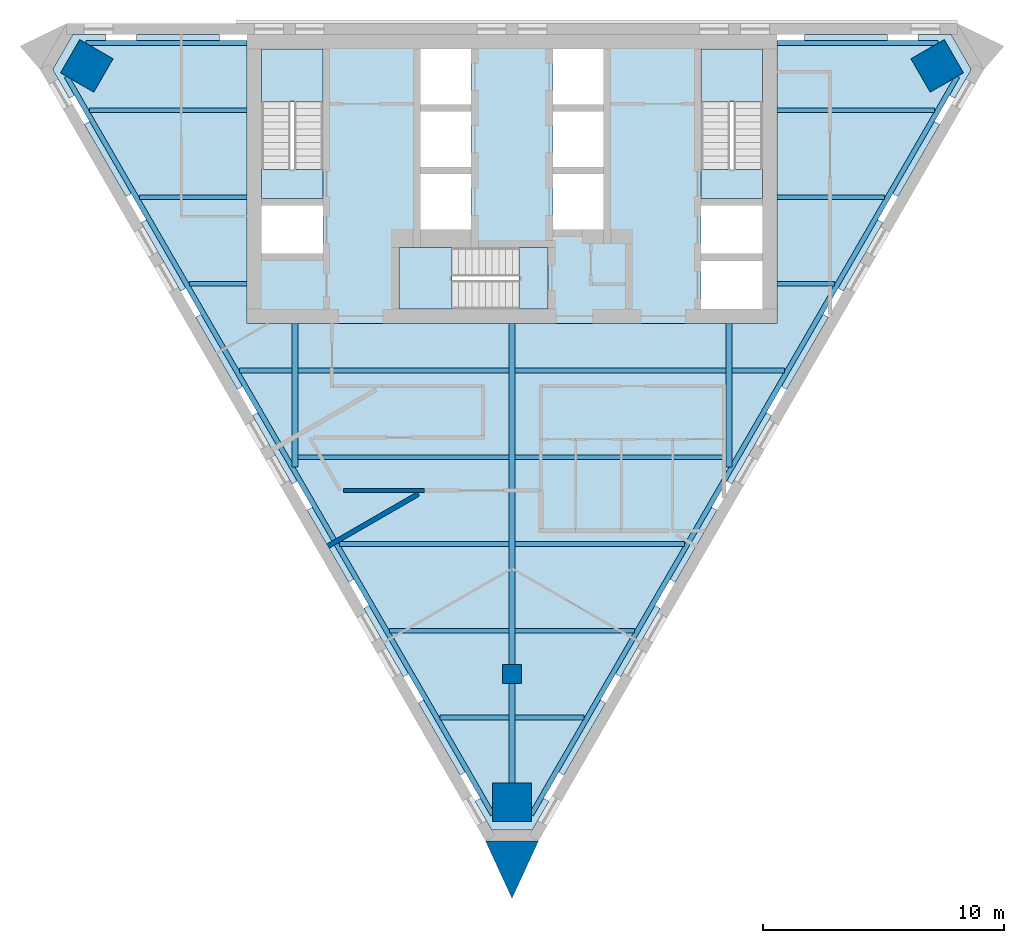
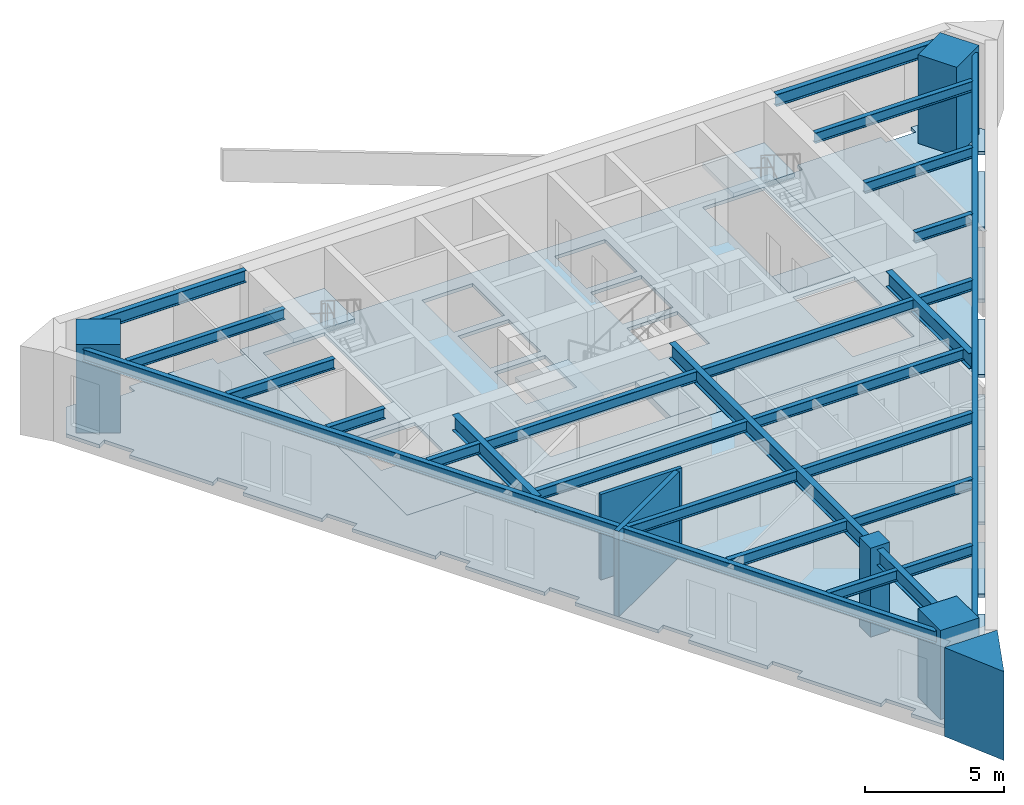
# One storey, part 1 of 6: 26 beams, 8 slabs, 4 columns, 3 walls, 3 elements without a shape of their own.
"""IFC4 building model written with IfcOpenShell, lengths in metres."""

import ifcopenshell
import ifcopenshell.guid

model = None  # the IFC model being written
_history = None  # IfcOwnerHistory: only IFC2X3 demands one
_inside = {}  # id of a spatial element -> (the spatial element, [elements in it])
_under = {}  # id of a project, library or spatial element -> (it, [spatial elements below it])
_declared = {}  # id of a project -> (the project, [libraries it declares])
_typed = {}  # id of a type object -> (the type object, [elements of that type])
_made_of = {}  # id of a material, layer set ... -> (it, [elements and type objects made of it])


def new_model(schema):
    """Start an empty IFC model of exactly this schema.

    Asked for "IFC4X3", IfcOpenShell would pick the latest addendum, in which some entities
    have other attributes; the version numbers below select the first issue.
    IFC2X3 requires an IfcOwnerHistory on every rooted entity: one is made here for all.
    """
    global model, _history
    if schema == "IFC4X3":
        model = ifcopenshell.file(schema_version=(4, 3, 0, 0))
    else:
        model = ifcopenshell.file(schema=schema)
    _inside.clear()
    _under.clear()
    _declared.clear()
    _typed.clear()
    _made_of.clear()
    _history = None
    if model.schema == "IFC2X3":
        org = make("IfcOrganization", Name="unknown")
        user = make(
            "IfcPersonAndOrganization",
            ThePerson=make("IfcPerson", FamilyName="unknown"),
            TheOrganization=org,
        )
        app = make(
            "IfcApplication",
            ApplicationDeveloper=org,
            Version="unknown",
            ApplicationFullName="unknown",
            ApplicationIdentifier="unknown",
        )
        _history = make(
            "IfcOwnerHistory",
            OwningUser=user,
            OwningApplication=app,
            ChangeAction="ADDED",
            CreationDate=0,
        )
    return model


def make(cls, **values):
    """One entity of the class cls with the attributes given. An attribute that is None is left unset."""
    return model.create_entity(
        cls, **{name: value for name, value in values.items() if value is not None}
    )


def rooted(cls, **values):
    """An entity with a GlobalId (a new one), such as an element, a storey or a relation."""
    return make(cls, GlobalId=ifcopenshell.guid.new(), OwnerHistory=_history, **values)


def si_unit(unit_type, name, prefix=None):
    """IfcSIUnit, for example si_unit("LENGTHUNIT", "METRE", prefix="MILLI")."""
    return make("IfcSIUnit", UnitType=unit_type, Prefix=prefix, Name=name)


def assignment(units):
    """IfcUnitAssignment: the units of a project."""
    return None if units is None else make("IfcUnitAssignment", Units=units)


def point(xyz):
    """IfcCartesianPoint."""
    return None if xyz is None else make("IfcCartesianPoint", Coordinates=xyz)


def direction(xyz):
    """IfcDirection."""
    return None if xyz is None else make("IfcDirection", DirectionRatios=xyz)


def frame(location, z_axis=None, x_axis=None):
    """IfcAxis2Placement3D, a coordinate frame: its origin and axes. An axis left out is left unset."""
    return make(
        "IfcAxis2Placement3D",
        Location=point(location),
        Axis=direction(z_axis),
        RefDirection=direction(x_axis),
    )


def frame_2d(location, x_axis=None):
    """IfcAxis2Placement2D, a coordinate frame in the plane: its origin and x axis."""
    return make(
        "IfcAxis2Placement2D", Location=point(location), RefDirection=direction(x_axis)
    )


def origin():
    """The frame at (0, 0, 0) with its axes left unset."""
    return frame((0.0, 0.0, 0.0))


def origin_2d():
    """The frame at (0, 0) in the plane with its x axis left unset."""
    return frame_2d((0.0, 0.0))


def place(relative_to, where):
    """IfcLocalPlacement: puts the frame where relative to a parent placement (None: the world)."""
    return make(
        "IfcLocalPlacement", PlacementRelTo=relative_to, RelativePlacement=where
    )


def context(
    kind, dimensions, precision=None, world=None, true_north=None, identifier=None
):
    """IfcGeometricRepresentationContext, for example the 3D "Model" context."""
    return make(
        "IfcGeometricRepresentationContext",
        ContextIdentifier=identifier,
        ContextType=kind,
        CoordinateSpaceDimension=dimensions,
        Precision=precision,
        WorldCoordinateSystem=world,
        TrueNorth=true_north,
    )


def subcontext(parent, identifier, kind, view, scale=None):
    """IfcGeometricRepresentationSubContext, for example "Body" below "Model"."""
    return make(
        "IfcGeometricRepresentationSubContext",
        ContextIdentifier=identifier,
        ContextType=kind,
        ParentContext=parent,
        TargetScale=scale,
        TargetView=view,
    )


def project(units=None, contexts=None):
    """IfcProject with its units and contexts."""
    return rooted(
        "IfcProject",
        Name="project",
        RepresentationContexts=contexts,
        UnitsInContext=assignment(units),
    )


def spatial(cls, under=None, at=None, **own):
    """A site, building, storey or space (cls), placed at a placement, below another one or the project."""
    s = rooted(cls, ObjectPlacement=at, **own)
    if under is not None:
        _under.setdefault(under.id(), (under, []))[1].append(s)
    return s


def polyline(points):
    """IfcPolyline through the points."""
    return make("IfcPolyline", Points=[point(p) for p in points])


def profile(cls, at=None, kind="AREA", **sizes):
    """A parametric profile (cls). Its sizes go by their IFC names, for example OverallWidth=200.0."""
    return make(cls, ProfileType=kind, Position=at, **sizes)


def rectangle(**sizes):
    """IfcRectangleProfileDef."""
    return profile("IfcRectangleProfileDef", **sizes)


def i_section(**sizes):
    """IfcIShapeProfileDef."""
    return profile("IfcIShapeProfileDef", **sizes)


def outline(outer, holes=None, kind="AREA"):
    """IfcArbitraryClosedProfileDef: a profile drawn as a closed curve; with holes, ...WithVoids."""
    if holes is None:
        return make("IfcArbitraryClosedProfileDef", ProfileType=kind, OuterCurve=outer)
    return make(
        "IfcArbitraryProfileDefWithVoids",
        ProfileType=kind,
        OuterCurve=outer,
        InnerCurves=holes,
    )


def extrude(swept, where, along, depth):
    """IfcExtrudedAreaSolid: the profile swept, set in the frame where, extruded along a direction by depth."""
    return make(
        "IfcExtrudedAreaSolid",
        SweptArea=swept,
        Position=where,
        ExtrudedDirection=direction(along),
        Depth=depth,
    )


def shape(context_of_items, identifier, shape_type, items):
    """IfcShapeRepresentation: the items that make up one representation, for example the "Body"."""
    return make(
        "IfcShapeRepresentation",
        ContextOfItems=context_of_items,
        RepresentationIdentifier=identifier,
        RepresentationType=shape_type,
        Items=items,
    )


def material(Name=None, Category=None):
    """IfcMaterial."""
    return make("IfcMaterial", Name=Name, Category=Category)


def layer(
    of_material, thickness, ventilated=None, Name=None, Category=None, Priority=None
):
    """IfcMaterialLayer: one layer of a wall or slab, of a material (None: an air gap)."""
    return make(
        "IfcMaterialLayer",
        Material=of_material,
        LayerThickness=thickness,
        IsVentilated=ventilated,
        Name=Name,
        Category=Category,
        Priority=Priority,
    )


def layer_set(layers, Name=None):
    """IfcMaterialLayerSet."""
    return make("IfcMaterialLayerSet", MaterialLayers=layers, LayerSetName=Name)


def material_profile(
    of_material, cross_section, Name=None, Category=None, Priority=None
):
    """IfcMaterialProfile: a cross section and its material."""
    return make(
        "IfcMaterialProfile",
        Name=Name,
        Material=of_material,
        Profile=cross_section,
        Priority=Priority,
        Category=Category,
    )


def profile_set(profiles, Name=None, composite=None):
    """IfcMaterialProfileSet."""
    return make(
        "IfcMaterialProfileSet",
        Name=Name,
        MaterialProfiles=profiles,
        CompositeProfile=composite,
    )


def made_of(thing, what):
    """Note that an element or type object is made of a material, layer set ...; save() writes the relation."""
    if what is not None:
        _made_of.setdefault(what.id(), (what, []))[1].append(thing)
    return thing


def type_object(cls, material=None, **own):
    """A type object (cls), such as IfcWallType, which elements share."""
    return made_of(rooted(cls, **own), material)


def element(
    cls,
    number,
    at=None,
    inside=None,
    cuts=None,
    type_object=None,
    material=None,
    context=None,
    identifier="Body",
    shape_type=None,
    held_by="IfcProductDefinitionShape",
    body=None,
    shapes=None,
    **own,
):
    """One element of the class cls, such as IfcWall. Its Tag is "e" and its number.

    at: its placement. inside: the storey or other place that contains it. cuts: it is an
    opening in that element (IfcRelVoidsElement). A single representation is given by context,
    identifier, shape_type and body (its items); several are given by shapes. held_by: the class
    of the entity that holds the representations. save() writes the other relations.
    """
    e = rooted(cls, Tag="e%d" % number, ObjectPlacement=at, **own)
    if body is not None:
        shapes = [shape(context, identifier, shape_type, body)]
    if shapes is not None:
        e.Representation = make(held_by, Representations=shapes)
    if inside is not None:
        _inside.setdefault(inside.id(), (inside, []))[1].append(e)
    if cuts is not None:
        rooted(
            "IfcRelVoidsElement", RelatingBuildingElement=cuts, RelatedOpeningElement=e
        )
    if type_object is not None:
        _typed.setdefault(type_object.id(), (type_object, []))[1].append(e)
    return made_of(e, material)


def aggregate(whole, parts):
    """IfcRelAggregates: a whole, such as a stair, and the parts it consists of."""
    return rooted("IfcRelAggregates", RelatingObject=whole, RelatedObjects=parts)


def save(model, path):
    """Write the relations noted so far, then the file.

    IfcRelAggregates (storeys below a building ...), IfcRelContainedInSpatialStructure (elements
    in a storey), IfcRelDefinesByType, IfcRelAssociatesMaterial and IfcRelDeclares: one each for
    every whole, place, type object, material and project.
    """
    for whole, parts in _under.values():
        aggregate(whole, parts)
    for where, things in _inside.values():
        rooted(
            "IfcRelContainedInSpatialStructure",
            RelatedElements=things,
            RelatingStructure=where,
        )
    for kind, things in _typed.values():
        rooted("IfcRelDefinesByType", RelatedObjects=things, RelatingType=kind)
    for what, things in _made_of.values():
        rooted("IfcRelAssociatesMaterial", RelatedObjects=things, RelatingMaterial=what)
    for by, libraries in _declared.values():
        rooted("IfcRelDeclares", RelatingContext=by, RelatedDefinitions=libraries)
    model.write(path)


model = new_model("IFC4")

# Units and contexts
model_context = context("Model", 3, precision=1e-05, world=origin(), true_north=direction((0.0, 1.0)))
body_context = subcontext(model_context, "Body", "Model", "MODEL_VIEW")
ifc_project = project(units=[si_unit("LENGTHUNIT", "METRE"), si_unit("AREAUNIT", "SQUARE_METRE"), si_unit("VOLUMEUNIT", "CUBIC_METRE"), si_unit("PLANEANGLEUNIT", "RADIAN"), si_unit("MASSUNIT", "GRAM", prefix="KILO")], contexts=[model_context])

# Site, building, storey
site_placement = place(None, origin())
site = spatial("IfcSite", under=ifc_project, at=site_placement, CompositionType="ELEMENT")
building_placement = place(site_placement, origin())
building = spatial("IfcBuilding", under=site, at=building_placement, Name="Aloe Facet Convention Tower", CompositionType="ELEMENT")
storey_placement = place(building_placement, frame((0.0, 0.0, 242.60009765625)))
storey = spatial("IfcBuildingStorey", under=building, at=storey_placement, Name="L59", CompositionType="ELEMENT", Elevation=242.60009765625)

# Columns
ifc_material_1 = material(Name="Concrete C70/85", Category="concrete")
ifc_material_profile_1 = material_profile(ifc_material_1, rectangle(XDim=0.800048828125, YDim=0.800048828125, at=origin_2d()), Name="SF-GC-Z5")
ifc_profile_set_1 = profile_set([ifc_material_profile_1], Name="Concrete C70/85")
column_type_1 = type_object("IfcColumnType", Name="SF-GC-Z5", PredefinedType="COLUMN", material=ifc_profile_set_1)
column_placement = place(storey_placement, frame((80.0, 108.0, 0.0), z_axis=(0.0, 0.0, 1.0), x_axis=(1.0, 0.0, 0.0)))
element("IfcColumn", 1, at=column_placement, inside=storey, type_object=column_type_1, Name="Gravity column GC-Z5-9D", PredefinedType="COLUMN", context=body_context, shape_type="SweptSolid", body=[
    extrude(rectangle(XDim=0.800048828125, YDim=0.800048828125, at=origin_2d()), origin(), (0.0, 0.0, 1.0), 3.89990234375),
])
ifc_material_2 = material(Name="Concrete C80/95", Category="concrete")
ifc_material_profile_2 = material_profile(ifc_material_2, rectangle(XDim=1.60009765625, YDim=1.60009765625, at=origin_2d()), Name="STW-MC-Z5")
ifc_profile_set_2 = profile_set([ifc_material_profile_2], Name="Concrete C80/95")
column_type_2 = type_object("IfcColumnType", Name="STW-MC-Z5", PredefinedType="COLUMN", material=ifc_profile_set_2)
for number, where, z_axis, x_axis, name in (
    (2, (97.650634765625, 133.247314453125, 0.0), (0.0, 0.0, 1.0), (-0.5, 0.866025403784, 0.0), "Mega-column MC-NE-L59"),
    (3, (62.349365234375, 133.247314453125, 0.0), (0.0, 0.0, 1.0), (-0.5, -0.866025403784, 0.0), "Mega-column MC-NW-L59"),
    (4, (80.0, 102.67578125, 0.0), (0.0, 0.0, 1.0), (1.0, 0.0, 0.0), "Mega-column MC-S-L59"),
):
    element("IfcColumn", number, at=place(storey_placement, frame(where, z_axis=z_axis, x_axis=x_axis)), inside=storey, type_object=column_type_2, Name=name, PredefinedType="COLUMN", context=body_context, shape_type="SweptSolid", body=[
        extrude(rectangle(XDim=1.60009765625, YDim=1.60009765625, at=origin_2d()), origin(), (0.0, 0.0, 1.0), 3.89990234375),
    ])

# Beams
ifc_material_3 = material(Name="Steel S355", Category="steel")
ifc_material_profile_3 = material_profile(ifc_material_3, i_section(OverallWidth=0.19140625, OverallDepth=0.4599609375, WebThickness=0.010009765625, FlangeThickness=0.01611328125, FilletRadius=0.01025390625, at=origin_2d()), Name="UB 457x191x82")
ifc_profile_set_3 = profile_set([ifc_material_profile_3], Name="Steel S355")
beam_type_1 = type_object("IfcBeamType", Name="SF-B-UB457x191x82", PredefinedType="BEAM", material=ifc_profile_set_3)
beam_1_placement = place(storey_placement, frame((62.452392578125, 131.39990234375, 3.52001953125), z_axis=(1.0, 0.0, 0.0), x_axis=(0.0, 1.0, 0.0)))
element("IfcBeam", 5, at=beam_1_placement, inside=storey, type_object=beam_type_1, Name="Floor beam FB-Z5B-009", PredefinedType="BEAM", context=body_context, shape_type="SweptSolid", body=[
    extrude(i_section(OverallWidth=0.19140625, OverallDepth=0.4599609375, WebThickness=0.010009765625, FlangeThickness=0.01611328125, FilletRadius=0.01025390625, at=origin_2d()), origin(), (0.0, 0.0, 1.0), 6.547607421875),
])
beam_2_placement = place(storey_placement, frame((64.53076171875, 127.800048828125, 3.52001953125), z_axis=(1.0, 0.0, 0.0), x_axis=(0.0, 1.0, 0.0)))
element("IfcBeam", 6, at=beam_2_placement, inside=storey, type_object=beam_type_1, Name="Floor beam FB-Z5B-010", PredefinedType="BEAM", context=body_context, shape_type="SweptSolid", body=[
    extrude(i_section(OverallWidth=0.19140625, OverallDepth=0.4599609375, WebThickness=0.010009765625, FlangeThickness=0.01611328125, FilletRadius=0.01025390625, at=origin_2d()), origin(), (0.0, 0.0, 1.0), 4.46923828125),
])
beam_3_placement = place(storey_placement, frame((66.609130859375, 124.199951171875, 3.52001953125), z_axis=(1.0, 0.0, 0.0), x_axis=(0.0, 1.0, 0.0)))
element("IfcBeam", 7, at=beam_3_placement, inside=storey, type_object=beam_type_1, Name="Floor beam FB-Z5B-011", PredefinedType="BEAM", context=body_context, shape_type="SweptSolid", body=[
    extrude(i_section(OverallWidth=0.19140625, OverallDepth=0.4599609375, WebThickness=0.010009765625, FlangeThickness=0.01611328125, FilletRadius=0.01025390625, at=origin_2d()), origin(), (0.0, 0.0, 1.0), 2.390869140625),
])
beam_4_placement = place(storey_placement, frame((68.687744140625, 120.60009765625, 3.52001953125), z_axis=(1.0, 0.0, 0.0), x_axis=(0.0, 1.0, 0.0)))
element("IfcBeam", 8, at=beam_4_placement, inside=storey, type_object=beam_type_1, Name="Floor beam FB-Z5B-012", PredefinedType="BEAM", context=body_context, shape_type="SweptSolid", body=[
    extrude(i_section(OverallWidth=0.19140625, OverallDepth=0.4599609375, WebThickness=0.010009765625, FlangeThickness=0.01611328125, FilletRadius=0.01025390625, at=origin_2d()), origin(), (0.0, 0.0, 1.0), 2.185791015625),
])
for number, where, z_axis, x_axis, name in (
    (9, (71.12646484375, 117.0, 3.52001953125), (1.0, 0.0, 0.0), (0.0, 1.0, 0.0), "Floor beam FB-Z5B-013"),
    (10, (71.12646484375, 120.60009765625, 3.52001953125), (1.0, 0.0, 0.0), (0.0, 1.0, 0.0), "Floor beam FB-Z5B-014"),
):
    element("IfcBeam", number, at=place(storey_placement, frame(where, z_axis=z_axis, x_axis=x_axis)), inside=storey, type_object=beam_type_1, Name=name, PredefinedType="BEAM", context=body_context, shape_type="SweptSolid", body=[
        extrude(i_section(OverallWidth=0.19140625, OverallDepth=0.4599609375, WebThickness=0.010009765625, FlangeThickness=0.01611328125, FilletRadius=0.01025390625, at=origin_2d()), origin(), (0.0, 0.0, 1.0), 8.7470703125),
    ])
beam_5_placement = place(storey_placement, frame((72.844482421875, 113.39990234375, 3.52001953125), z_axis=(1.0, 0.0, 0.0), x_axis=(0.0, 1.0, 0.0)))
element("IfcBeam", 11, at=beam_5_placement, inside=storey, type_object=beam_type_1, Name="Floor beam FB-Z5B-015", PredefinedType="BEAM", context=body_context, shape_type="SweptSolid", body=[
    extrude(i_section(OverallWidth=0.19140625, OverallDepth=0.4599609375, WebThickness=0.010009765625, FlangeThickness=0.01611328125, FilletRadius=0.01025390625, at=origin_2d()), origin(), (0.0, 0.0, 1.0), 7.029052734375),
])
beam_6_placement = place(storey_placement, frame((74.923095703125, 109.800048828125, 3.52001953125), z_axis=(1.0, 0.0, 0.0), x_axis=(0.0, 1.0, 0.0)))
element("IfcBeam", 12, at=beam_6_placement, inside=storey, type_object=beam_type_1, Name="Floor beam FB-Z5B-016", PredefinedType="BEAM", context=body_context, shape_type="SweptSolid", body=[
    extrude(i_section(OverallWidth=0.19140625, OverallDepth=0.4599609375, WebThickness=0.010009765625, FlangeThickness=0.01611328125, FilletRadius=0.01025390625, at=origin_2d()), origin(), (0.0, 0.0, 1.0), 4.950439453125),
])
for number, where, z_axis, x_axis, name in (
    (13, (77.00146484375, 106.199951171875, 3.52001953125), (1.0, 0.0, 0.0), (0.0, 1.0, 0.0), "Floor beam FB-Z5B-017"),
    (14, (80.12646484375, 106.199951171875, 3.52001953125), (1.0, 0.0, 0.0), (0.0, 1.0, 0.0), "Floor beam FB-Z5B-018"),
):
    element("IfcBeam", number, at=place(storey_placement, frame(where, z_axis=z_axis, x_axis=x_axis)), inside=storey, type_object=beam_type_1, Name=name, PredefinedType="BEAM", context=body_context, shape_type="SweptSolid", body=[
        extrude(i_section(OverallWidth=0.19140625, OverallDepth=0.4599609375, WebThickness=0.010009765625, FlangeThickness=0.01611328125, FilletRadius=0.01025390625, at=origin_2d()), origin(), (0.0, 0.0, 1.0), 2.8720703125),
    ])
beam_7_placement = place(storey_placement, frame((80.12646484375, 109.800048828125, 3.52001953125), z_axis=(1.0, 0.0, 0.0), x_axis=(0.0, 1.0, 0.0)))
element("IfcBeam", 15, at=beam_7_placement, inside=storey, type_object=beam_type_1, Name="Floor beam FB-Z5B-019", PredefinedType="BEAM", context=body_context, shape_type="SweptSolid", body=[
    extrude(i_section(OverallWidth=0.19140625, OverallDepth=0.4599609375, WebThickness=0.010009765625, FlangeThickness=0.01611328125, FilletRadius=0.01025390625, at=origin_2d()), origin(), (0.0, 0.0, 1.0), 4.950439453125),
])
beam_8_placement = place(storey_placement, frame((80.12646484375, 113.39990234375, 3.52001953125), z_axis=(1.0, 0.0, 0.0), x_axis=(0.0, 1.0, 0.0)))
element("IfcBeam", 16, at=beam_8_placement, inside=storey, type_object=beam_type_1, Name="Floor beam FB-Z5B-020", PredefinedType="BEAM", context=body_context, shape_type="SweptSolid", body=[
    extrude(i_section(OverallWidth=0.19140625, OverallDepth=0.4599609375, WebThickness=0.010009765625, FlangeThickness=0.01611328125, FilletRadius=0.01025390625, at=origin_2d()), origin(), (0.0, 0.0, 1.0), 7.029052734375),
])
for number, where, z_axis, x_axis, name in (
    (17, (80.12646484375, 117.0, 3.52001953125), (1.0, 0.0, 0.0), (0.0, 1.0, 0.0), "Floor beam FB-Z5B-021"),
    (18, (80.12646484375, 120.60009765625, 3.52001953125), (1.0, 0.0, 0.0), (0.0, 1.0, 0.0), "Floor beam FB-Z5B-022"),
):
    element("IfcBeam", number, at=place(storey_placement, frame(where, z_axis=z_axis, x_axis=x_axis)), inside=storey, type_object=beam_type_1, Name=name, PredefinedType="BEAM", context=body_context, shape_type="SweptSolid", body=[
        extrude(i_section(OverallWidth=0.19140625, OverallDepth=0.4599609375, WebThickness=0.010009765625, FlangeThickness=0.01611328125, FilletRadius=0.01025390625, at=origin_2d()), origin(), (0.0, 0.0, 1.0), 8.7470703125),
    ])
beam_9_placement = place(storey_placement, frame((89.12646484375, 120.60009765625, 3.52001953125), z_axis=(1.0, 0.0, 0.0), x_axis=(0.0, 1.0, 0.0)))
element("IfcBeam", 19, at=beam_9_placement, inside=storey, type_object=beam_type_1, Name="Floor beam FB-Z5B-023", PredefinedType="BEAM", context=body_context, shape_type="SweptSolid", body=[
    extrude(i_section(OverallWidth=0.19140625, OverallDepth=0.4599609375, WebThickness=0.010009765625, FlangeThickness=0.01611328125, FilletRadius=0.01025390625, at=origin_2d()), origin(), (0.0, 0.0, 1.0), 2.185791015625),
])
beam_10_placement = place(storey_placement, frame((91.0, 124.199951171875, 3.52001953125), z_axis=(1.0, 0.0, 0.0), x_axis=(0.0, 1.0, 0.0)))
element("IfcBeam", 20, at=beam_10_placement, inside=storey, type_object=beam_type_1, Name="Floor beam FB-Z5B-024", PredefinedType="BEAM", context=body_context, shape_type="SweptSolid", body=[
    extrude(i_section(OverallWidth=0.19140625, OverallDepth=0.4599609375, WebThickness=0.010009765625, FlangeThickness=0.01611328125, FilletRadius=0.01025390625, at=origin_2d()), origin(), (0.0, 0.0, 1.0), 2.390869140625),
])
beam_11_placement = place(storey_placement, frame((91.0, 127.800048828125, 3.52001953125), z_axis=(1.0, 0.0, 0.0), x_axis=(0.0, 1.0, 0.0)))
element("IfcBeam", 21, at=beam_11_placement, inside=storey, type_object=beam_type_1, Name="Floor beam FB-Z5B-025", PredefinedType="BEAM", context=body_context, shape_type="SweptSolid", body=[
    extrude(i_section(OverallWidth=0.19140625, OverallDepth=0.4599609375, WebThickness=0.010009765625, FlangeThickness=0.01611328125, FilletRadius=0.01025390625, at=origin_2d()), origin(), (0.0, 0.0, 1.0), 4.46923828125),
])
beam_12_placement = place(storey_placement, frame((91.0, 131.39990234375, 3.52001953125), z_axis=(1.0, 0.0, 0.0), x_axis=(0.0, 1.0, 0.0)))
element("IfcBeam", 22, at=beam_12_placement, inside=storey, type_object=beam_type_1, Name="Floor beam FB-Z5B-026", PredefinedType="BEAM", context=body_context, shape_type="SweptSolid", body=[
    extrude(i_section(OverallWidth=0.19140625, OverallDepth=0.4599609375, WebThickness=0.010009765625, FlangeThickness=0.01611328125, FilletRadius=0.01025390625, at=origin_2d()), origin(), (0.0, 0.0, 1.0), 6.547607421875),
])
ifc_material_4 = material(Name="Steel S355", Category="steel")
ifc_material_profile_4 = material_profile(ifc_material_4, i_section(OverallWidth=0.209228515625, OverallDepth=0.533203125, WebThickness=0.010009765625, FlangeThickness=0.015625, FilletRadius=0.0126953125, at=origin_2d()), Name="UB 533x210x92")
ifc_profile_set_4 = profile_set([ifc_material_profile_4], Name="Steel S355")
beam_type_2 = type_object("IfcBeamType", Name="SF-B-UB533x210x92", PredefinedType="BEAM", material=ifc_profile_set_4)
beam_13_placement = place(storey_placement, frame((62.3076171875, 134.1953125, 3.4833984375), z_axis=(1.0, 0.0, 0.0), x_axis=(0.0, 1.0, 0.0)))
element("IfcBeam", 23, at=beam_13_placement, inside=storey, type_object=beam_type_2, Name="Floor beam FB-Z5B-001", PredefinedType="BEAM", context=body_context, shape_type="SweptSolid", body=[
    extrude(i_section(OverallWidth=0.209228515625, OverallDepth=0.533203125, WebThickness=0.010009765625, FlangeThickness=0.015625, FilletRadius=0.0126953125, at=origin_2d()), origin(), (0.0, 0.0, 1.0), 6.6923828125),
])
beam_14_placement = place(storey_placement, frame((79.199951171875, 102.16552734375, 3.4833984375), z_axis=(-0.499997782969, 0.866026683784, 0.0), x_axis=(-0.866026683784, -0.499997782969, 0.0)))
element("IfcBeam", 24, at=beam_14_placement, inside=storey, type_object=beam_type_2, Name="Floor beam FB-Z5B-002", PredefinedType="BEAM", context=body_context, shape_type="SweptSolid", body=[
    extrude(i_section(OverallWidth=0.209228515625, OverallDepth=0.533203125, WebThickness=0.010009765625, FlangeThickness=0.015625, FilletRadius=0.0126953125, at=origin_2d()), origin(), (0.0, 0.0, 1.0), 35.385009765625),
])
beam_15_placement = place(storey_placement, frame((91.0, 134.1953125, 3.4833984375), z_axis=(1.0, 0.0, 0.0), x_axis=(0.0, 1.0, 0.0)))
element("IfcBeam", 25, at=beam_15_placement, inside=storey, type_object=beam_type_2, Name="Floor beam FB-Z5B-003", PredefinedType="BEAM", context=body_context, shape_type="SweptSolid", body=[
    extrude(i_section(OverallWidth=0.209228515625, OverallDepth=0.533203125, WebThickness=0.010009765625, FlangeThickness=0.015625, FilletRadius=0.0126953125, at=origin_2d()), origin(), (0.0, 0.0, 1.0), 6.6923828125),
])
beam_16_placement = place(storey_placement, frame((98.492431640625, 132.809814453125, 3.4833984375), z_axis=(-0.499997782969, -0.866026683784, 0.0), x_axis=(0.866026683784, -0.499997782969, 0.0)))
element("IfcBeam", 26, at=beam_16_placement, inside=storey, type_object=beam_type_2, Name="Floor beam FB-Z5B-004", PredefinedType="BEAM", context=body_context, shape_type="SweptSolid", body=[
    extrude(i_section(OverallWidth=0.209228515625, OverallDepth=0.533203125, WebThickness=0.010009765625, FlangeThickness=0.015625, FilletRadius=0.0126953125, at=origin_2d()), origin(), (0.0, 0.0, 1.0), 35.385009765625),
])
ifc_material_5 = material(Name="Steel S355", Category="steel")
ifc_material_profile_5 = material_profile(ifc_material_5, i_section(OverallWidth=0.2529296875, OverallDepth=0.677978515625, WebThickness=0.01171875, FlangeThickness=0.01611328125, FilletRadius=0.01513671875, at=origin_2d()), Name="UB 686x254x125")
ifc_profile_set_5 = profile_set([ifc_material_profile_5], Name="Steel S355")
beam_type_3 = type_object("IfcBeamType", Name="SF-B-UB686x254x125", PredefinedType="BEAM", material=ifc_profile_set_5)
beam_17_placement = place(storey_placement, frame((71.0, 122.550048828125, 3.410888671875), z_axis=(0.0, -1.0, 0.0), x_axis=(1.0, 0.0, 0.0)))
element("IfcBeam", 27, at=beam_17_placement, inside=storey, type_object=beam_type_3, Name="Floor beam FB-Z5B-005", PredefinedType="BEAM", context=body_context, shape_type="SweptSolid", body=[
    extrude(i_section(OverallWidth=0.2529296875, OverallDepth=0.677978515625, WebThickness=0.01171875, FlangeThickness=0.01611328125, FilletRadius=0.01513671875, at=origin_2d()), origin(), (0.0, 0.0, 1.0), 5.96240234375),
])
beam_18_placement = place(storey_placement, frame((80.0, 107.60009765625, 3.410888671875), z_axis=(0.0, -1.0, 0.0), x_axis=(1.0, 0.0, 0.0)))
element("IfcBeam", 28, at=beam_18_placement, inside=storey, type_object=beam_type_3, Name="Floor beam FB-Z5B-006", PredefinedType="BEAM", context=body_context, shape_type="SweptSolid", body=[
    extrude(i_section(OverallWidth=0.2529296875, OverallDepth=0.677978515625, WebThickness=0.01171875, FlangeThickness=0.01611328125, FilletRadius=0.01513671875, at=origin_2d()), origin(), (0.0, 0.0, 1.0), 5.60498046875),
])
beam_19_placement = place(storey_placement, frame((80.0, 122.550048828125, 3.410888671875), z_axis=(0.0, -1.0, 0.0), x_axis=(1.0, 0.0, 0.0)))
element("IfcBeam", 29, at=beam_19_placement, inside=storey, type_object=beam_type_3, Name="Floor beam FB-Z5B-007", PredefinedType="BEAM", context=body_context, shape_type="SweptSolid", body=[
    extrude(i_section(OverallWidth=0.2529296875, OverallDepth=0.677978515625, WebThickness=0.01171875, FlangeThickness=0.01611328125, FilletRadius=0.01513671875, at=origin_2d()), origin(), (0.0, 0.0, 1.0), 14.150146484375),
])
beam_20_placement = place(storey_placement, frame((89.0, 122.550048828125, 3.410888671875), z_axis=(0.0, -1.0, 0.0), x_axis=(1.0, 0.0, 0.0)))
element("IfcBeam", 30, at=beam_20_placement, inside=storey, type_object=beam_type_3, Name="Floor beam FB-Z5B-008", PredefinedType="BEAM", context=body_context, shape_type="SweptSolid", body=[
    extrude(i_section(OverallWidth=0.2529296875, OverallDepth=0.677978515625, WebThickness=0.01171875, FlangeThickness=0.01611328125, FilletRadius=0.01513671875, at=origin_2d()), origin(), (0.0, 0.0, 1.0), 5.96240234375),
])

# Slabs
ifc_material_6 = material(Name="Concrete C50/60", Category="concrete")
ifc_layer_1 = layer(ifc_material_6, 0.14990234375)
ifc_layer_set_1 = layer_set([ifc_layer_1], Name="CR-S-FLOOR150-C5060")
slab_type_1 = type_object("IfcSlabType", Name="CR-S-FLOOR150-C5060", PredefinedType="FLOOR", material=ifc_layer_set_1)
slab_1_placement = place(storey_placement, frame((0.0, 0.0, -0.150146484375)))
element("IfcSlab", 31, at=slab_1_placement, inside=storey, type_object=slab_type_1, Name="Core floor L59", PredefinedType="FLOOR", context=body_context, shape_type="SweptSolid", body=[
    extrude(outline(polyline([(71.85009765625, 134.550048828125), (72.75, 134.550048828125), (75.60009765625, 134.550048828125), (76.5, 134.550048828125), (78.0, 134.550048828125), (78.89990234375, 134.550048828125), (81.10009765625, 134.550048828125), (82.0, 134.550048828125), (83.5, 134.550048828125), (84.39990234375, 134.550048828125), (87.25, 134.550048828125), (88.14990234375, 134.550048828125), (91.0, 134.550048828125), (91.0, 128.050048828125), (91.0, 127.14990234375), (91.0, 125.75), (91.0, 124.85009765625), (91.0, 122.550048828125), (88.14990234375, 122.550048828125), (87.25, 122.550048828125), (85.300048828125, 122.550048828125), (84.39990234375, 122.550048828125), (82.10009765625, 122.550048828125), (81.199951171875, 122.550048828125), (75.60009765625, 122.550048828125), (74.699951171875, 122.550048828125), (72.75, 122.550048828125), (71.85009765625, 122.550048828125), (69.0, 122.550048828125), (69.0, 124.85009765625), (69.0, 125.75), (69.0, 127.14990234375), (69.0, 128.050048828125), (69.0, 134.550048828125), (71.85009765625, 134.550048828125)]), holes=[polyline([(80.298828125, 123.14990234375), (81.5, 123.14990234375), (81.5, 125.699951171875), (80.298828125, 125.699951171875), (75.300048828125, 125.699951171875), (75.300048828125, 123.14990234375), (80.298828125, 123.14990234375)]), polyline([(69.60009765625, 125.449951171875), (72.14990234375, 125.449951171875), (72.14990234375, 127.449951171875), (69.60009765625, 127.449951171875), (69.60009765625, 125.449951171875)]), polyline([(76.199951171875, 126.449951171875), (78.300048828125, 126.449951171875), (78.300048828125, 128.75), (76.199951171875, 128.75), (76.199951171875, 126.449951171875)]), polyline([(78.300048828125, 129.050048828125), (78.300048828125, 131.35009765625), (76.199951171875, 131.35009765625), (76.199951171875, 129.050048828125), (78.300048828125, 129.050048828125)]), polyline([(69.60009765625, 133.949951171875), (69.60009765625, 128.951171875), (69.60009765625, 127.75), (72.14990234375, 127.75), (72.14990234375, 128.951171875), (72.14990234375, 133.949951171875), (69.60009765625, 133.949951171875)]), polyline([(76.199951171875, 131.64990234375), (78.300048828125, 131.64990234375), (78.300048828125, 133.949951171875), (76.199951171875, 133.949951171875), (76.199951171875, 131.64990234375)]), polyline([(90.39990234375, 123.14990234375), (90.39990234375, 125.14990234375), (87.85009765625, 125.14990234375), (87.85009765625, 123.14990234375), (90.39990234375, 123.14990234375)]), polyline([(87.85009765625, 125.449951171875), (90.39990234375, 125.449951171875), (90.39990234375, 127.449951171875), (87.85009765625, 127.449951171875), (87.85009765625, 125.449951171875)]), polyline([(81.699951171875, 126.449951171875), (83.800048828125, 126.449951171875), (83.800048828125, 128.75), (81.699951171875, 128.75), (81.699951171875, 126.449951171875)]), polyline([(83.800048828125, 129.050048828125), (83.800048828125, 131.35009765625), (81.699951171875, 131.35009765625), (81.699951171875, 129.050048828125), (83.800048828125, 129.050048828125)]), polyline([(87.85009765625, 133.949951171875), (87.85009765625, 128.951171875), (87.85009765625, 127.75), (90.39990234375, 127.75), (90.39990234375, 128.951171875), (90.39990234375, 133.949951171875), (87.85009765625, 133.949951171875)]), polyline([(81.699951171875, 131.64990234375), (83.800048828125, 131.64990234375), (83.800048828125, 133.949951171875), (81.699951171875, 133.949951171875), (81.699951171875, 131.64990234375)])]), origin(), (0.0, 0.0, 1.0), 0.150146484375),
])
ifc_material_7 = material(Name="Concrete C50/60", Category="concrete")
ifc_layer_2 = layer(ifc_material_7, 0.300048828125)
ifc_layer_set_2 = layer_set([ifc_layer_2], Name="CR-S-FLOOR300-C5060")
slab_type_2 = type_object("IfcSlabType", Name="CR-S-FLOOR300-C5060", PredefinedType="FLOOR", material=ifc_layer_set_2)
slab_2_placement = place(storey_placement, frame((0.0, 0.0, -0.300048828125)))
element("IfcSlab", 32, at=slab_2_placement, inside=storey, type_object=slab_type_2, Name="Stair landing floor L59", PredefinedType="FLOOR", context=body_context, shape_type="SweptSolid", body=[
    extrude(outline(polyline([(72.14990234375, 127.75), (72.14990234375, 128.951171875), (69.60009765625, 128.951171875), (69.60009765625, 127.75), (72.14990234375, 127.75)])), origin(), (0.0, 0.0, 1.0), 0.300048828125),
])
slab_3_placement = place(storey_placement, frame((0.0, 0.0, -0.300048828125)))
element("IfcSlab", 33, at=slab_3_placement, inside=storey, type_object=slab_type_2, Name="Stair landing floor L59", PredefinedType="FLOOR", context=body_context, shape_type="SweptSolid", body=[
    extrude(outline(polyline([(90.39990234375, 127.75), (90.39990234375, 128.951171875), (87.85009765625, 128.951171875), (87.85009765625, 127.75), (90.39990234375, 127.75)])), origin(), (0.0, 0.0, 1.0), 0.300048828125),
])
slab_4_placement = place(storey_placement, frame((0.0, 0.0, -0.300048828125)))
element("IfcSlab", 34, at=slab_4_placement, inside=storey, type_object=slab_type_2, Name="Stair landing floor L59", PredefinedType="FLOOR", context=body_context, shape_type="SweptSolid", body=[
    extrude(outline(polyline([(81.5, 125.699951171875), (80.298828125, 125.699951171875), (80.298828125, 123.14990234375), (81.5, 123.14990234375), (81.5, 125.699951171875)])), origin(), (0.0, 0.0, 1.0), 0.300048828125),
])

# Stair, slab
ifc_material_8 = material(Name="Concrete C50/60", Category="concrete")
stair_type = type_object("IfcStairType", Name="CR-ST-22R", PredefinedType="HALF_TURN_STAIR", material=ifc_material_8)
stair_1_placement = place(storey_placement, origin())
stair_1 = element("IfcStair", 35, at=stair_1_placement, inside=storey, type_object=stair_type, Name="L59 Protected exit stair ST1", PredefinedType="HALF_TURN_STAIR")
ifc_material_9 = material(Name="Concrete C50/60", Category="concrete")
ifc_layer_3 = layer(ifc_material_9, 0.199951171875)
ifc_layer_set_3 = layer_set([ifc_layer_3], Name="CR-SL-LANDING")
slab_type_3 = type_object("IfcSlabType", Name="CR-SL-LANDING", PredefinedType="LANDING", material=ifc_layer_set_3)
slab_5_placement = place(storey_placement, frame((0.0, 0.0, 1.75)))
slab_5 = element("IfcSlab", 36, at=slab_5_placement, type_object=slab_type_3, Name="ST1 landing 1", PredefinedType="LANDING", context=body_context, shape_type="SweptSolid", body=[
    extrude(outline(polyline([(72.14990234375, 131.75), (72.14990234375, 133.949951171875), (69.60009765625, 133.949951171875), (69.60009765625, 131.75), (72.14990234375, 131.75)])), origin(), (0.0, 0.0, 1.0), 0.199951171875),
])
aggregate(stair_1, [slab_5])

stair_2_placement = place(storey_placement, origin())
stair_2 = element("IfcStair", 37, at=stair_2_placement, inside=storey, type_object=stair_type, Name="L59 Protected exit stair ST2", PredefinedType="HALF_TURN_STAIR")
slab_6_placement = place(storey_placement, frame((0.0, 0.0, 1.75)))
slab_6 = element("IfcSlab", 38, at=slab_6_placement, type_object=slab_type_3, Name="ST2 landing 1", PredefinedType="LANDING", context=body_context, shape_type="SweptSolid", body=[
    extrude(outline(polyline([(90.39990234375, 131.75), (90.39990234375, 133.949951171875), (87.85009765625, 133.949951171875), (87.85009765625, 131.75), (90.39990234375, 131.75)])), origin(), (0.0, 0.0, 1.0), 0.199951171875),
])
aggregate(stair_2, [slab_6])

stair_3_placement = place(storey_placement, origin())
stair_3 = element("IfcStair", 39, at=stair_3_placement, inside=storey, type_object=stair_type, Name="L59 Protected exit stair ST3", PredefinedType="HALF_TURN_STAIR")
slab_7_placement = place(storey_placement, frame((0.0, 0.0, 1.75)))
slab_7 = element("IfcSlab", 40, at=slab_7_placement, type_object=slab_type_3, Name="ST3 landing 1", PredefinedType="LANDING", context=body_context, shape_type="SweptSolid", body=[
    extrude(outline(polyline([(77.5, 125.699951171875), (75.300048828125, 125.699951171875), (75.300048828125, 123.14990234375), (77.5, 123.14990234375), (77.5, 125.699951171875)])), origin(), (0.0, 0.0, 1.0), 0.199951171875),
])
aggregate(stair_3, [slab_7])

# Slab
ifc_material_10 = material(Name="Concrete C35/45", Category="concrete")
ifc_layer_4 = layer(ifc_material_10, 0.14990234375)
ifc_layer_set_4 = layer_set([ifc_layer_4], Name="SF-FS-150")
slab_type_4 = type_object("IfcSlabType", Name="SF-FS-150", PredefinedType="FLOOR", material=ifc_layer_set_4)
slab_8_placement = place(storey_placement, frame((0.0, 0.0, -0.150146484375)))
element("IfcSlab", 41, at=slab_8_placement, inside=storey, type_object=slab_type_4, Name="Floor slab L59-1", PredefinedType="FLOOR", context=body_context, shape_type="SweptSolid", body=[
    extrude(outline(polyline([(99.06640625, 133.0947265625), (98.376220703125, 131.898681640625), (98.072998046875, 132.07373046875), (97.447509765625, 130.990234375), (97.75048828125, 130.815185546875), (96.02099609375, 127.819580078125), (95.7177734375, 127.994384765625), (95.09228515625, 126.910888671875), (95.395263671875, 126.73583984375), (93.75439453125, 123.89404296875), (93.451416015625, 124.069091796875), (92.82568359375, 122.985595703125), (93.12890625, 122.810546875), (91.3994140625, 119.814697265625), (91.09619140625, 119.98974609375), (90.470703125, 118.90625), (90.773681640625, 118.731201171875), (89.133056640625, 115.889404296875), (88.829833984375, 116.064453125), (88.204345703125, 114.980712890625), (88.50732421875, 114.805908203125), (86.77783203125, 111.81005859375), (86.474609375, 111.985107421875), (85.84912109375, 110.9013671875), (86.152099609375, 110.726318359375), (84.511474609375, 107.884521484375), (84.20849609375, 108.0595703125), (83.582763671875, 106.97607421875), (83.885986328125, 106.801025390625), (82.15625, 103.805419921875), (81.853271484375, 103.980224609375), (81.2275390625, 102.896728515625), (81.530517578125, 102.7216796875), (80.840087890625, 101.52587890625), (79.159912109375, 101.52587890625), (78.469482421875, 102.7216796875), (78.7724609375, 102.896728515625), (78.146728515625, 103.980224609375), (77.84375, 103.805419921875), (76.114013671875, 106.801025390625), (76.417236328125, 106.97607421875), (75.79150390625, 108.0595703125), (75.488525390625, 107.884521484375), (73.847900390625, 110.726318359375), (74.15087890625, 110.9013671875), (73.525390625, 111.985107421875), (73.22216796875, 111.81005859375), (71.49267578125, 114.805908203125), (71.795654296875, 114.980712890625), (71.170166015625, 116.064453125), (70.866943359375, 115.889404296875), (69.226318359375, 118.731201171875), (69.529296875, 118.90625), (68.90380859375, 119.98974609375), (68.6005859375, 119.814697265625), (66.87109375, 122.810546875), (67.17431640625, 122.985595703125), (66.548583984375, 124.069091796875), (66.24560546875, 123.89404296875), (64.604736328125, 126.73583984375), (64.90771484375, 126.910888671875), (64.2822265625, 127.994384765625), (63.97900390625, 127.819580078125), (62.24951171875, 130.815185546875), (62.552490234375, 130.990234375), (61.927001953125, 132.07373046875), (61.623779296875, 131.898681640625), (60.93359375, 133.0947265625), (61.773681640625, 134.550048828125), (63.154541015625, 134.550048828125), (63.154541015625, 134.199951171875), (64.40576171875, 134.199951171875), (64.40576171875, 134.550048828125), (67.864990234375, 134.550048828125), (67.864990234375, 134.199951171875), (69.0, 134.199951171875), (69.0, 128.050048828125), (69.0, 127.14990234375), (69.0, 125.75), (69.0, 124.85009765625), (69.0, 122.550048828125), (71.85009765625, 122.550048828125), (72.75, 122.550048828125), (74.699951171875, 122.550048828125), (75.60009765625, 122.550048828125), (81.199951171875, 122.550048828125), (82.10009765625, 122.550048828125), (84.39990234375, 122.550048828125), (85.300048828125, 122.550048828125), (87.25, 122.550048828125), (88.14990234375, 122.550048828125), (91.0, 122.550048828125), (91.0, 124.85009765625), (91.0, 125.75), (91.0, 127.14990234375), (91.0, 128.050048828125), (91.0, 134.199951171875), (92.135009765625, 134.199951171875), (92.135009765625, 134.550048828125), (95.59423828125, 134.550048828125), (95.59423828125, 134.199951171875), (96.845458984375, 134.199951171875), (96.845458984375, 134.550048828125), (98.226318359375, 134.550048828125), (99.06640625, 133.0947265625)]), holes=[polyline([(80.800048828125, 101.875732421875), (80.800048828125, 103.475830078125), (79.199951171875, 103.475830078125), (79.199951171875, 101.875732421875), (80.800048828125, 101.875732421875)]), polyline([(62.056640625, 134.340087890625), (61.256591796875, 132.95458984375), (62.642333984375, 132.154541015625), (63.4423828125, 133.540283203125), (62.056640625, 134.340087890625)]), polyline([(80.39990234375, 107.60009765625), (80.39990234375, 108.39990234375), (79.60009765625, 108.39990234375), (79.60009765625, 107.60009765625), (80.39990234375, 107.60009765625)]), polyline([(98.743408203125, 132.95458984375), (97.943359375, 134.340087890625), (96.5576171875, 133.540283203125), (97.357666015625, 132.154541015625), (98.743408203125, 132.95458984375)])]), origin(), (0.0, 0.0, 1.0), 0.150146484375),
])

# Walls
ifc_material_11 = material(Name="Precast concrete C40/50", Category="concrete")
ifc_layer_5 = layer(ifc_material_11, 3.947998046875)
ifc_layer_set_5 = layer_set([ifc_layer_5], Name="EV-WALL-SPINE")
wall_type_1 = type_object("IfcWallType", Name="EV-WALL-SPINE", PredefinedType="SOLIDWALL", material=ifc_layer_set_5)
wall_1_placement = place(storey_placement, frame((0.0, 0.0, -0.150146484375)))
element("IfcWall", 42, at=wall_1_placement, inside=storey, type_object=wall_type_1, Name="SP-S-L59", PredefinedType="SOLIDWALL", context=body_context, shape_type="SweptSolid", body=[
    extrude(outline(polyline([(78.89990234375, 101.07568359375), (80.0, 98.690673828125), (81.10009765625, 101.07568359375), (78.89990234375, 101.07568359375)])), origin(), (0.0, 0.0, 1.0), 3.900146484375),
])
ifc_material_12 = material(Name="Gypsum board partition on steel studs", Category="steel")
ifc_layer_6 = layer(ifc_material_12, 0.14990234375)
ifc_layer_set_6 = layer_set([ifc_layer_6], Name="IN-W-CORR")
wall_type_2 = type_object("IfcWallType", Name="IN-W-CORR", PredefinedType="PARTITIONING", material=ifc_layer_set_6)
wall_2_placement = place(storey_placement, frame((72.999755859375, 115.620361328125, 0.0), z_axis=(0.0, 0.0, 1.0), x_axis=(1.0, 0.0, 0.0)))
element("IfcWall", 43, at=wall_2_placement, inside=storey, type_object=wall_type_2, Name="Partition L59-W013", PredefinedType="PARTITIONING", context=body_context, shape_type="SweptSolid", body=[
    extrude(rectangle(XDim=3.363037109375, YDim=0.14990234375, at=frame_2d((1.681640625, 0.0))), origin(), (0.0, 0.0, 1.0), 3.75),
])
ifc_material_13 = material(Name="Gypsum board partition on steel studs", Category="steel")
ifc_layer_7 = layer(ifc_material_13, 0.199951171875)
ifc_layer_set_7 = layer_set([ifc_layer_7], Name="IN-W-PARTY")
wall_type_3 = type_object("IfcWallType", Name="IN-W-PARTY", PredefinedType="PARTITIONING", material=ifc_layer_set_7)
wall_3_placement = place(storey_placement, frame((72.357421875, 113.307861328125, 0.0), z_axis=(0.0, 0.0, 1.0), x_axis=(0.866032891431, 0.499987030792, 0.0)))
element("IfcWall", 44, at=wall_3_placement, inside=storey, type_object=wall_type_3, Name="Partition L59-W003", PredefinedType="PARTITIONING", context=body_context, shape_type="SweptSolid", body=[
    extrude(rectangle(XDim=4.33984375, YDim=0.199951171875, at=frame_2d((2.169921875, 0.0))), origin(), (0.0, 0.0, 1.0), 3.75),
])

save(model, "model.ifc")
